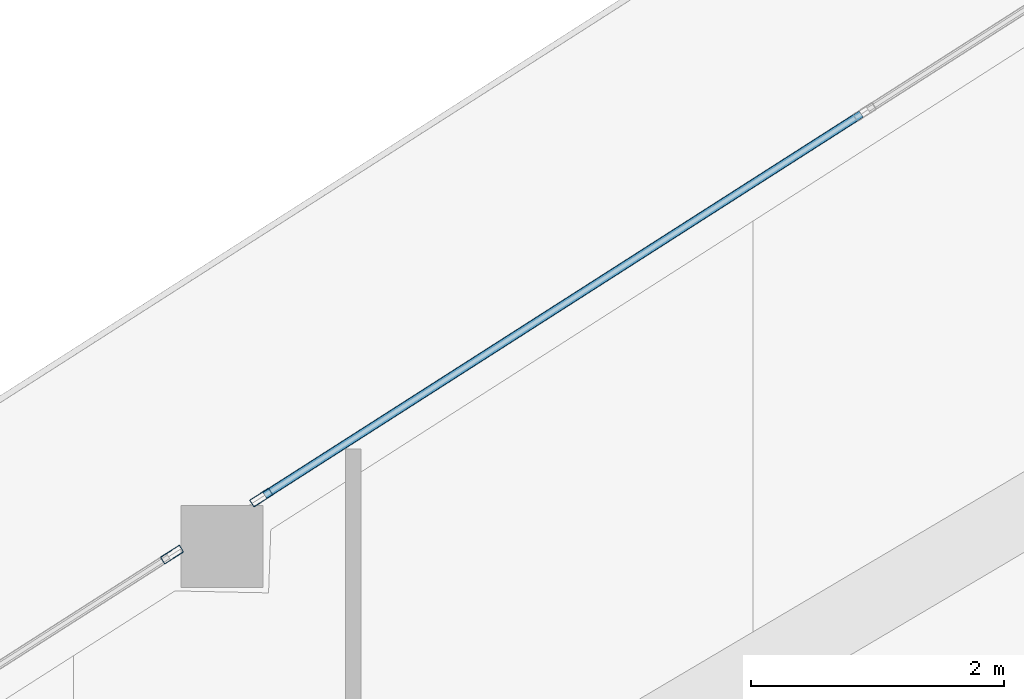
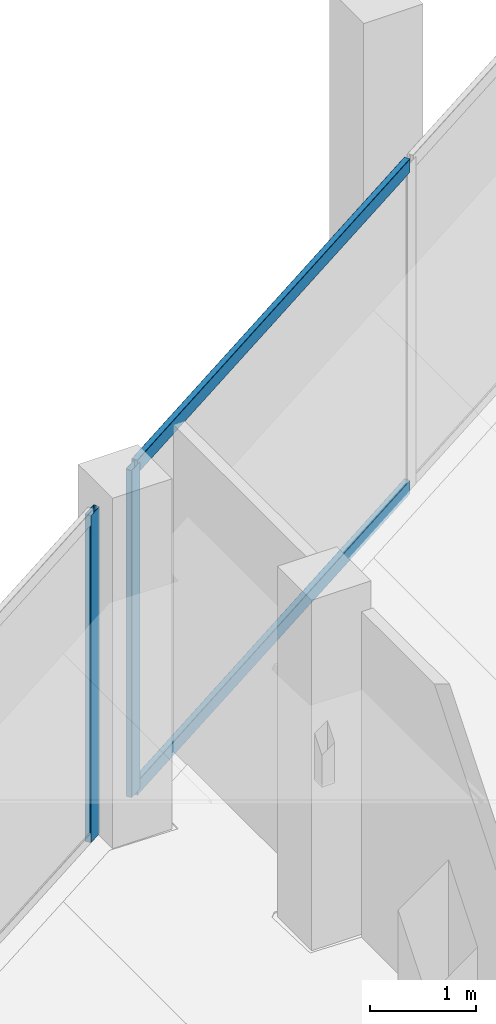
# One storey, part 17 of 35: 4 members, 2 elements without a shape of their own.
"""IFC4 building model written with IfcOpenShell, lengths in metres."""

from ifc_helpers import new_model, si_unit, direction, frame, origin, origin_2d, place, context, subcontext, project, spatial, hollow_rectangle, extrude, material, layer, layer_set, material_profile, profile_set, type_object, element, aggregate, save


model = new_model("IFC4")

# Units and contexts
model_context = context("Model", 3, precision=1e-05, world=origin(), true_north=direction((0.0, 1.0)))
body_context = subcontext(model_context, "Body", "Model", "MODEL_VIEW")
ifc_project = project(units=[si_unit("LENGTHUNIT", "METRE"), si_unit("AREAUNIT", "SQUARE_METRE"), si_unit("VOLUMEUNIT", "CUBIC_METRE"), si_unit("PLANEANGLEUNIT", "RADIAN"), si_unit("MASSUNIT", "GRAM", prefix="KILO")], contexts=[model_context])

# Site, building, storey
site_placement = place(None, origin())
site = spatial("IfcSite", under=ifc_project, at=site_placement, CompositionType="ELEMENT")
building_placement = place(site_placement, origin())
building = spatial("IfcBuilding", under=site, at=building_placement, Name="Qorvath Tower", CompositionType="ELEMENT")
storey_placement = place(building_placement, frame((0.0, 0.0, 166.5)))
storey = spatial("IfcBuildingStorey", under=building, at=storey_placement, Name="L38", CompositionType="ELEMENT", Elevation=166.5)

# Curtain wall, member
ifc_material_1 = material(Name="Anodised aluminium and triple low-E glass", Category="aluminium")
ifc_layer = layer(ifc_material_1, 0.179931640625)
ifc_layer_set = layer_set([ifc_layer], Name="CW-SYS-3")
curtain_wall_type = type_object("IfcCurtainWallType", Name="CW-SYS-3", PredefinedType="NOTDEFINED", material=ifc_layer_set)
curtain_wall_1_placement = place(storey_placement, origin())
curtain_wall_1 = element("IfcCurtainWall", 1, at=curtain_wall_1_placement, inside=storey, type_object=curtain_wall_type, Name="Curtain Wall CW-3 CW-T-L38-16.1", PredefinedType="NOTDEFINED")
ifc_material_2 = material(Name="Anodised aluminium 6063-T6", Category="aluminium")
ifc_material_profile_1 = material_profile(ifc_material_2, hollow_rectangle(XDim=0.06494140625, YDim=0.179931640625, WallThickness=0.00341796875, InnerFilletRadius=0.00341796875, OuterFilletRadius=0.007080078125, at=origin_2d()), Name="CWM 180x65")
ifc_profile_set_1 = profile_set([ifc_material_profile_1], Name="Anodised aluminium 6063-T6")
member_type_1 = type_object("IfcMemberType", Name="CWM-180", PredefinedType="MULLION", material=ifc_profile_set_1)
member_1_placement = place(storey_placement, frame((-30.706787109375, 19.847900390625, 0.0), z_axis=(0.0, 0.0, 1.0), x_axis=(0.53853443311, -0.842603503645, 0.0)))
member_1 = element("IfcMember", 2, at=member_1_placement, type_object=member_type_1, Name="CW-3 mullion 4", PredefinedType="MULLION", context=body_context, shape_type="SweptSolid", body=[
    extrude(hollow_rectangle(XDim=0.06494140625, YDim=0.179931640625, WallThickness=0.00341796875, InnerFilletRadius=0.00341796875, OuterFilletRadius=0.007080078125, at=origin_2d()), origin(), (0.0, 0.0, 1.0), 3.780029296875),
])

curtain_wall_2_placement = place(storey_placement, origin())
curtain_wall_2 = element("IfcCurtainWall", 3, at=curtain_wall_2_placement, inside=storey, type_object=curtain_wall_type, Name="Curtain Wall CW-3 CW-T-L38-16.2", PredefinedType="NOTDEFINED")
member_2_placement = place(storey_placement, frame((-31.413330078125, 19.396240234375, 0.0), z_axis=(0.0, 0.0, 1.0), x_axis=(0.538537129711, -0.842601780156, 0.0)))
member_2 = element("IfcMember", 4, at=member_2_placement, type_object=member_type_1, Name="CW-3 mullion 1", PredefinedType="MULLION", context=body_context, shape_type="SweptSolid", body=[
    extrude(hollow_rectangle(XDim=0.06494140625, YDim=0.179931640625, WallThickness=0.00341796875, InnerFilletRadius=0.00341796875, OuterFilletRadius=0.007080078125, at=origin_2d()), origin(), (0.0, 0.0, 1.0), 3.780029296875),
])
aggregate(curtain_wall_2, [member_2])

# Member
ifc_material_3 = material(Name="Anodised aluminium 6063-T6", Category="aluminium")
ifc_material_profile_2 = material_profile(ifc_material_3, hollow_rectangle(XDim=0.06494140625, YDim=0.159912109375, WallThickness=0.00341796875, InnerFilletRadius=0.00341796875, OuterFilletRadius=0.007080078125, at=origin_2d()), Name="CWT 160x65")
ifc_profile_set_2 = profile_set([ifc_material_profile_2], Name="Anodised aluminium 6063-T6")
member_type_2 = type_object("IfcMemberType", Name="CWT-160", PredefinedType="USERDEFINED", material=ifc_profile_set_2)
member_3_placement = place(storey_placement, frame((-25.956298828125, 22.884033203125, 0.032470703125), z_axis=(-0.842596345477, -0.538545632783, 0.0), x_axis=(0.538545632783, -0.842596345477, 0.0)))
member_3 = element("IfcMember", 5, at=member_3_placement, type_object=member_type_2, Name="CW-3 transom 3.1", ObjectType="TRANSOM", PredefinedType="USERDEFINED", context=body_context, shape_type="SweptSolid", body=[
    extrude(hollow_rectangle(XDim=0.06494140625, YDim=0.159912109375, WallThickness=0.00341796875, InnerFilletRadius=0.00341796875, OuterFilletRadius=0.007080078125, at=origin_2d()), origin(), (0.0, 0.0, 1.0), 5.60546875),
])

member_4_placement = place(storey_placement, frame((-25.956298828125, 22.884033203125, 3.74755859375), z_axis=(-0.842596345477, -0.538545632783, 0.0), x_axis=(0.538545632783, -0.842596345477, 0.0)))
member_4 = element("IfcMember", 6, at=member_4_placement, type_object=member_type_2, Name="CW-3 transom 3.2", ObjectType="TRANSOM", PredefinedType="USERDEFINED", context=body_context, shape_type="SweptSolid", body=[
    extrude(hollow_rectangle(XDim=0.06494140625, YDim=0.159912109375, WallThickness=0.00341796875, InnerFilletRadius=0.00341796875, OuterFilletRadius=0.007080078125, at=origin_2d()), origin(), (0.0, 0.0, 1.0), 5.60546875),
])

aggregate(curtain_wall_1, [member_1, member_3, member_4])

save(model, "model.ifc")
